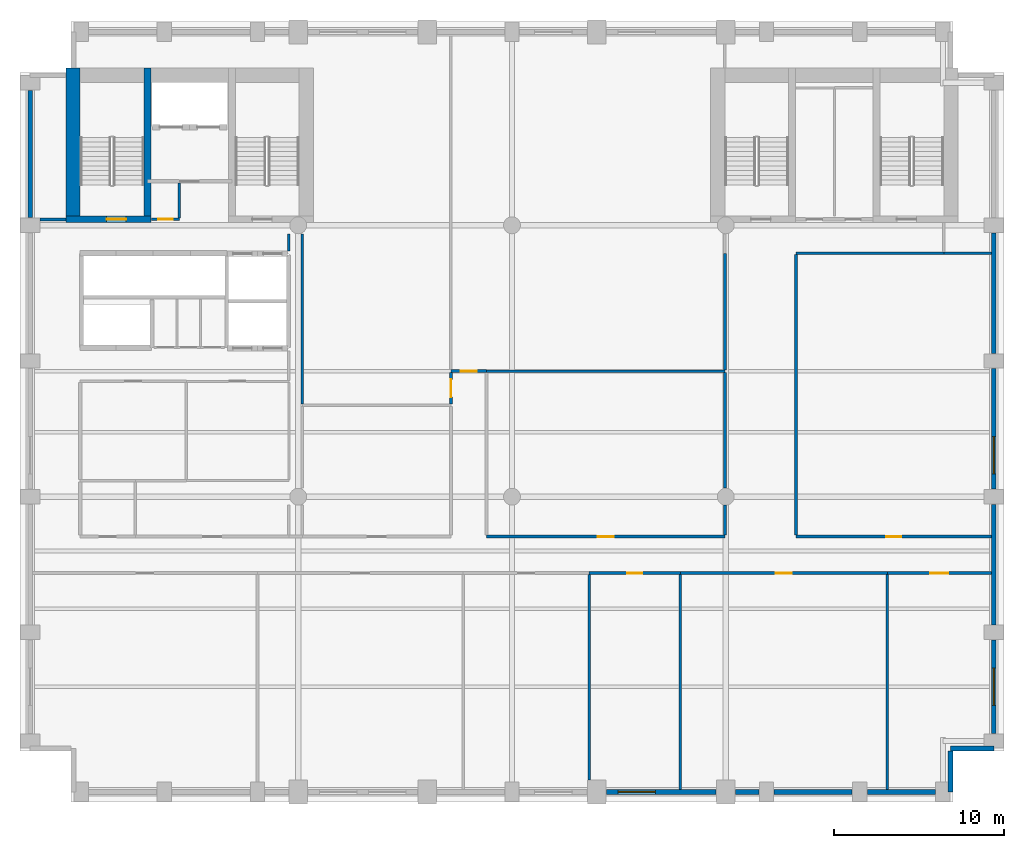
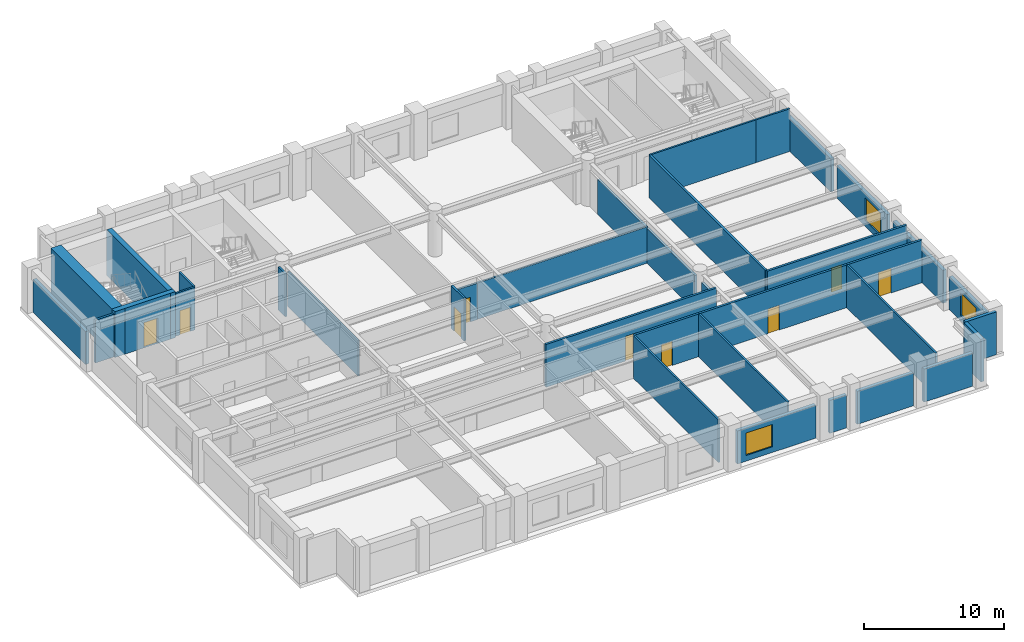
# One storey, part 4 of 8: 36 walls, 9 doors, 3 windows, 12 openings.
"""IFC4 building model written with IfcOpenShell, lengths in metres."""

from ifc_helpers import new_model, si_unit, direction, frame, frame_2d, origin, place, context, subcontext, project, spatial, rectangle, extrude, material, layer, layer_set, type_object, element, fill, save


model = new_model("IFC4")

# Units and contexts
model_context = context("Model", 3, precision=1e-05, world=origin(), true_north=direction((0.0, 1.0)))
body_context = subcontext(model_context, "Body", "Model", "MODEL_VIEW")
ifc_project = project(units=[si_unit("LENGTHUNIT", "METRE"), si_unit("AREAUNIT", "SQUARE_METRE"), si_unit("VOLUMEUNIT", "CUBIC_METRE"), si_unit("PLANEANGLEUNIT", "RADIAN"), si_unit("MASSUNIT", "GRAM", prefix="KILO")], contexts=[model_context])

# Site, building, storey
site_placement = place(None, origin())
site = spatial("IfcSite", under=ifc_project, at=site_placement, CompositionType="ELEMENT")
building_placement = place(site_placement, origin())
building = spatial("IfcBuilding", under=site, at=building_placement, Name="Sulina Concourse Tower", CompositionType="ELEMENT")
storey_placement = place(building_placement, frame((0.0, 0.0, 108.60009765625)))
storey = spatial("IfcBuildingStorey", under=building, at=storey_placement, Name="L26", CompositionType="ELEMENT", Elevation=108.60009765625)

# Walls
ifc_material_1 = material(Name="Gypsum board on steel stud", Category="steel")
ifc_layer_1 = layer(ifc_material_1, 0.14990234375)
ifc_layer_set_1 = layer_set([ifc_layer_1], Name="Gypsum board on steel stud")
wall_type_1 = type_object("IfcWallType", Name="Inter-Tenancy Acoustic Partition 150mm", PredefinedType="PARTITIONING", material=ifc_layer_set_1)
wall_1_placement = place(storey_placement, frame((27.5, 25.39990234375, 0.0), z_axis=(0.0, 0.0, 1.0), x_axis=(1.0, 0.0, 0.0)))
element("IfcWall", 1, at=wall_1_placement, inside=storey, type_object=wall_type_1, Name="L26 interior partition 020", PredefinedType="PARTITIONING", context=body_context, shape_type="SweptSolid", body=[
    extrude(rectangle(XDim=14.050048828125, YDim=0.14990234375, at=frame_2d((7.02490234375, 0.0))), origin(), (0.0, 0.0, 1.0), 3.169921875),
])
wall_2_placement = place(storey_placement, frame((45.75, 32.35009765625, 0.0), z_axis=(0.0, 0.0, 1.0), x_axis=(1.0, 0.0, 0.0)))
element("IfcWall", 2, at=wall_2_placement, inside=storey, type_object=wall_type_1, Name="L26 interior partition 024", PredefinedType="PARTITIONING", context=body_context, shape_type="SweptSolid", body=[
    extrude(rectangle(XDim=8.699951171875, YDim=0.14990234375, at=frame_2d((4.35009765625, 0.0))), origin(), (0.0, 0.0, 1.0), 3.724853515625),
])
wall_3_placement = place(storey_placement, frame((54.449951171875, 32.35009765625, 0.0), z_axis=(0.0, 0.0, 1.0), x_axis=(1.0, 0.0, 0.0)))
element("IfcWall", 3, at=wall_3_placement, inside=storey, type_object=wall_type_1, Name="L26 interior partition 025", PredefinedType="PARTITIONING", context=body_context, shape_type="SweptSolid", body=[
    extrude(rectangle(XDim=2.81005859375, YDim=0.14990234375, at=frame_2d((1.405029296875, 0.0))), origin(), (0.0, 0.0, 1.0), 3.724853515625),
])

# Wall, opening, door
wall_4_placement = place(storey_placement, frame((7.75, 34.35009765625, 0.0), z_axis=(0.0, 0.0, 1.0), x_axis=(1.0, 0.0, 0.0)))
wall_4 = element("IfcWall", 4, at=wall_4_placement, inside=storey, type_object=wall_type_1, Name="L26 interior partition 027", PredefinedType="PARTITIONING", context=body_context, shape_type="SweptSolid", body=[
    extrude(rectangle(XDim=1.64990234375, YDim=0.14990234375, at=frame_2d((0.824951171875, 0.0))), origin(), (0.0, 0.0, 1.0), 3.724853515625),
])
opening_1_placement = place(wall_4_placement, frame((0.385009765625, 0.0, 0.0)))
opening_1 = element("IfcOpeningElement", 5, at=opening_1_placement, cuts=wall_4, Name="Opening DR-38", PredefinedType="OPENING", context=body_context, shape_type="SweptSolid", body=[
    extrude(rectangle(XDim=0.8798828125, YDim=2.10009765625, at=frame_2d((0.43994140625, 1.050048828125))), frame((0.0, 0.0849609375, 0.0), z_axis=(0.0, -1.0, 0.0), x_axis=(1.0, 0.0, 0.0)), (0.0, 0.0, 1.0), 0.169921875),
])
ifc_material_2 = material(Name="Galvanised steel acoustic fire leaf", Category="steel")
ifc_layer_2 = layer(ifc_material_2, 0.050048828125)
ifc_layer_set_2 = layer_set([ifc_layer_2], Name="Galvanised steel acoustic fire leaf")
door_type_1 = type_object("IfcDoorType", Name="Service Riser Fire Door 880x2100", OperationType="NOTDEFINED", PredefinedType="DOOR", material=ifc_layer_set_2)
door_1_placement = place(opening_1_placement, origin())
door_1 = element("IfcDoor", 6, at=door_1_placement, inside=storey, type_object=door_type_1, Name="L26 interior door L26-CLN-N", OperationType="SINGLE_SWING_LEFT", OverallHeight=2.10009765625, OverallWidth=0.8798828125, PredefinedType="DOOR", context=body_context, shape_type="SweptSolid", body=[
    extrude(rectangle(XDim=0.8798828125, YDim=2.10009765625, at=frame_2d((0.43994140625, 1.050048828125))), frame((0.0, 0.02490234375, 0.0), z_axis=(0.0, -1.0, 0.0), x_axis=(1.0, 0.0, 0.0)), (0.0, 0.0, 1.0), 0.050048828125),
])
fill(opening_1, door_1)

# Walls
wall_5_placement = place(storey_placement, frame((9.39990234375, 34.425048828125, 0.0), z_axis=(0.0, 0.0, 1.0), x_axis=(0.0, 1.0, 0.0)))
element("IfcWall", 7, at=wall_5_placement, inside=storey, type_object=wall_type_1, Name="L26 interior partition 034", PredefinedType="PARTITIONING", context=body_context, shape_type="SweptSolid", body=[
    extrude(rectangle(XDim=2.06494140625, YDim=0.14990234375, at=frame_2d((1.032470703125, 0.0))), origin(), (0.0, 0.0, 1.0), 3.724853515625),
])
wall_6_placement = place(storey_placement, frame((15.85009765625, 32.469970703125, 0.0), z_axis=(0.0, 0.0, 1.0), x_axis=(0.0, 1.0, 0.0)))
element("IfcWall", 8, at=wall_6_placement, inside=storey, type_object=wall_type_1, Name="L26 interior partition 041", PredefinedType="PARTITIONING", context=body_context, shape_type="SweptSolid", body=[
    extrude(rectangle(XDim=1.030029296875, YDim=0.14990234375, at=frame_2d((0.51513671875, 0.0))), origin(), (0.0, 0.0, 1.0), 3.724853515625),
])
wall_7_placement = place(storey_placement, frame((16.64990234375, 23.47509765625, 0.0), z_axis=(0.0, 0.0, 1.0), x_axis=(0.0, 1.0, 0.0)))
element("IfcWall", 9, at=wall_7_placement, inside=storey, type_object=wall_type_1, Name="L26 interior partition 044", PredefinedType="PARTITIONING", context=body_context, shape_type="SweptSolid", body=[
    extrude(rectangle(XDim=10.02490234375, YDim=0.14990234375, at=frame_2d((5.012451171875, 0.0))), origin(), (0.0, 0.0, 1.0), 3.06982421875),
])
wall_8_placement = place(storey_placement, frame((33.5400390625, 1.300048828125, 0.0), z_axis=(0.0, 0.0, 1.0), x_axis=(0.0, 1.0, 0.0)))
element("IfcWall", 10, at=wall_8_placement, inside=storey, type_object=wall_type_1, Name="L26 interior partition 050", PredefinedType="PARTITIONING", context=body_context, shape_type="SweptSolid", body=[
    extrude(rectangle(XDim=12.10986328125, YDim=0.14990234375, at=frame_2d((6.054931640625, 0.0))), origin(), (0.0, 0.0, 1.0), 3.724853515625),
])
for number, where, z_axis, x_axis, name in (
    (11, (38.919921875, 0.739990234375, 0.0), (0.0, 0.0, 1.0), (0.0, 1.0, 0.0), "L26 interior partition 051"),
    (12, (51.1201171875, 0.739990234375, 0.0), (0.0, 0.0, 1.0), (0.0, 1.0, 0.0), "L26 interior partition 059"),
):
    element("IfcWall", number, at=place(storey_placement, frame(where, z_axis=z_axis, x_axis=x_axis)), inside=storey, type_object=wall_type_1, Name=name, PredefinedType="PARTITIONING", context=body_context, shape_type="SweptSolid", body=[
        extrude(rectangle(XDim=12.669921875, YDim=0.14990234375, at=frame_2d((6.3349609375, 0.0))), origin(), (0.0, 0.0, 1.0), 3.724853515625),
    ])

# Wall, opening, door
ifc_material_3 = material(Name="Gypsum board on steel stud", Category="steel")
ifc_layer_3 = layer(ifc_material_3, 0.179931640625)
ifc_layer_set_3 = layer_set([ifc_layer_3], Name="Gypsum board on steel stud")
wall_type_2 = type_object("IfcWallType", Name="Protected Corridor & Riser Partition 180mm", PredefinedType="PARTITIONING", material=ifc_layer_set_3)
wall_9_placement = place(storey_placement, frame((33.5400390625, 13.5, 0.0), z_axis=(0.0, 0.0, 1.0), x_axis=(1.0, 0.0, 0.0)))
wall_9 = element("IfcWall", 13, at=wall_9_placement, inside=storey, type_object=wall_type_2, Name="L26 interior partition 004", PredefinedType="PARTITIONING", context=body_context, shape_type="SweptSolid", body=[
    extrude(rectangle(XDim=5.3798828125, YDim=0.179931640625, at=frame_2d((2.68994140625, 0.0))), origin(), (0.0, 0.0, 1.0), 3.724853515625),
])
opening_2_placement = place(wall_9_placement, frame((2.25, 0.0, 0.0)))
opening_2 = element("IfcOpeningElement", 14, at=opening_2_placement, cuts=wall_9, Name="Opening DR-38", PredefinedType="OPENING", context=body_context, shape_type="SweptSolid", body=[
    extrude(rectangle(XDim=0.8798828125, YDim=2.10009765625, at=frame_2d((0.43994140625, 1.050048828125))), frame((0.0, 0.099853515625, 0.0), z_axis=(0.0, -1.0, 0.0), x_axis=(1.0, 0.0, 0.0)), (0.0, 0.0, 1.0), 0.199951171875),
])
door_2_placement = place(opening_2_placement, origin())
door_2 = element("IfcDoor", 15, at=door_2_placement, inside=storey, type_object=door_type_1, Name="L26 interior door L26-S03B", OperationType="SINGLE_SWING_LEFT", OverallHeight=2.10009765625, OverallWidth=0.8798828125, PredefinedType="DOOR", context=body_context, shape_type="SweptSolid", body=[
    extrude(rectangle(XDim=0.8798828125, YDim=2.10009765625, at=frame_2d((0.43994140625, 1.050048828125))), frame((0.0, 0.02490234375, 0.0), z_axis=(0.0, -1.0, 0.0), x_axis=(1.0, 0.0, 0.0)), (0.0, 0.0, 1.0), 0.050048828125),
])
fill(opening_2, door_2)

wall_10_placement = place(storey_placement, frame((38.919921875, 13.5, 0.0), z_axis=(0.0, 0.0, 1.0), x_axis=(1.0, 0.0, 0.0)))
wall_10 = element("IfcWall", 16, at=wall_10_placement, inside=storey, type_object=wall_type_2, Name="L26 interior partition 005", PredefinedType="PARTITIONING", context=body_context, shape_type="SweptSolid", body=[
    extrude(rectangle(XDim=12.2001953125, YDim=0.179931640625, at=frame_2d((6.10009765625, 0.0))), origin(), (0.0, 0.0, 1.0), 3.724853515625),
])
opening_3_placement = place(wall_10_placement, frame((5.625, 0.0, 0.0)))
opening_3 = element("IfcOpeningElement", 17, at=opening_3_placement, cuts=wall_10, Name="Opening DR-19", PredefinedType="OPENING", context=body_context, shape_type="SweptSolid", body=[
    extrude(rectangle(XDim=0.949951171875, YDim=2.14990234375, at=frame_2d((0.47509765625, 1.074951171875))), frame((0.0, 0.099853515625, 0.0), z_axis=(0.0, -1.0, 0.0), x_axis=(1.0, 0.0, 0.0)), (0.0, 0.0, 1.0), 0.199951171875),
])
ifc_material_4 = material(Name="Oak-veneered acoustic timber leaf", Category="wood")
ifc_layer_4 = layer(ifc_material_4, 0.050048828125)
ifc_layer_set_4 = layer_set([ifc_layer_4], Name="Oak-veneered acoustic timber leaf")
door_type_2 = type_object("IfcDoorType", Name="Cellular Office & Meeting Door 950x2150", OperationType="NOTDEFINED", PredefinedType="DOOR", material=ifc_layer_set_4)
door_3_placement = place(opening_3_placement, origin())
door_3 = element("IfcDoor", 18, at=door_3_placement, inside=storey, type_object=door_type_2, Name="L26 interior door L26-S04", OperationType="SINGLE_SWING_RIGHT", OverallHeight=2.14990234375, OverallWidth=0.949951171875, PredefinedType="DOOR", context=body_context, shape_type="SweptSolid", body=[
    extrude(rectangle(XDim=0.949951171875, YDim=2.14990234375, at=frame_2d((0.47509765625, 1.074951171875))), frame((0.0, 0.02490234375, 0.0), z_axis=(0.0, -1.0, 0.0), x_axis=(1.0, 0.0, 0.0)), (0.0, 0.0, 1.0), 0.050048828125),
])
fill(opening_3, door_3)

wall_11_placement = place(storey_placement, frame((51.1201171875, 13.5, 0.0), z_axis=(0.0, 0.0, 1.0), x_axis=(1.0, 0.0, 0.0)))
wall_11 = element("IfcWall", 19, at=wall_11_placement, inside=storey, type_object=wall_type_2, Name="L26 interior partition 006", PredefinedType="PARTITIONING", context=body_context, shape_type="SweptSolid", body=[
    extrude(rectangle(XDim=6.139892578125, YDim=0.179931640625, at=frame_2d((3.06982421875, 0.0))), origin(), (0.0, 0.0, 1.0), 3.724853515625),
])
opening_4_placement = place(wall_11_placement, frame((2.544921875, 0.0, 0.0)))
opening_4 = element("IfcOpeningElement", 20, at=opening_4_placement, cuts=wall_11, Name="Opening DR-37", PredefinedType="OPENING", context=body_context, shape_type="SweptSolid", body=[
    extrude(rectangle(XDim=1.050048828125, YDim=2.14990234375, at=frame_2d((0.52490234375, 1.074951171875))), frame((0.0, 0.099853515625, 0.0), z_axis=(0.0, -1.0, 0.0), x_axis=(1.0, 0.0, 0.0)), (0.0, 0.0, 1.0), 0.199951171875),
])
ifc_material_5 = material(Name="Oak-veneered fire door leaf")
ifc_layer_5 = layer(ifc_material_5, 0.050048828125)
ifc_layer_set_5 = layer_set([ifc_layer_5], Name="Oak-veneered fire door leaf")
door_type_3 = type_object("IfcDoorType", Name="Tenant Suite Entrance Fire Door 1050x2150", OperationType="NOTDEFINED", PredefinedType="DOOR", material=ifc_layer_set_5)
door_4_placement = place(opening_4_placement, origin())
door_4 = element("IfcDoor", 21, at=door_4_placement, inside=storey, type_object=door_type_3, Name="L26 interior door L26-S05", OperationType="SINGLE_SWING_LEFT", OverallHeight=2.14990234375, OverallWidth=1.050048828125, PredefinedType="DOOR", context=body_context, shape_type="SweptSolid", body=[
    extrude(rectangle(XDim=1.050048828125, YDim=2.14990234375, at=frame_2d((0.52490234375, 1.074951171875))), frame((0.0, 0.02490234375, 0.0), z_axis=(0.0, -1.0, 0.0), x_axis=(1.0, 0.0, 0.0)), (0.0, 0.0, 1.0), 0.050048828125),
])
fill(opening_4, door_4)

wall_12_placement = place(storey_placement, frame((27.5, 15.64990234375, 0.0), z_axis=(0.0, 0.0, 1.0), x_axis=(1.0, 0.0, 0.0)))
wall_12 = element("IfcWall", 22, at=wall_12_placement, inside=storey, type_object=wall_type_2, Name="L26 interior partition 011", PredefinedType="PARTITIONING", context=body_context, shape_type="SweptSolid", body=[
    extrude(rectangle(XDim=14.050048828125, YDim=0.179931640625, at=frame_2d((7.02490234375, 0.0))), origin(), (0.0, 0.0, 1.0), 3.724853515625),
])
opening_5_placement = place(wall_12_placement, frame((6.550048828125, 0.0, 0.0)))
opening_5 = element("IfcOpeningElement", 23, at=opening_5_placement, cuts=wall_12, Name="Opening DR-19", PredefinedType="OPENING", context=body_context, shape_type="SweptSolid", body=[
    extrude(rectangle(XDim=0.949951171875, YDim=2.14990234375, at=frame_2d((0.47509765625, 1.074951171875))), frame((0.0, 0.099853515625, 0.0), z_axis=(0.0, -1.0, 0.0), x_axis=(1.0, 0.0, 0.0)), (0.0, 0.0, 1.0), 0.199951171875),
])
door_5_placement = place(opening_5_placement, origin())
door_5 = element("IfcDoor", 24, at=door_5_placement, inside=storey, type_object=door_type_2, Name="L26 interior door L26-NC3", OperationType="SINGLE_SWING_LEFT", OverallHeight=2.14990234375, OverallWidth=0.949951171875, PredefinedType="DOOR", context=body_context, shape_type="SweptSolid", body=[
    extrude(rectangle(XDim=0.949951171875, YDim=2.14990234375, at=frame_2d((0.47509765625, 1.074951171875))), frame((0.0, 0.02490234375, 0.0), z_axis=(0.0, -1.0, 0.0), x_axis=(1.0, 0.0, 0.0)), (0.0, 0.0, 1.0), 0.050048828125),
])
fill(opening_5, door_5)

wall_13_placement = place(storey_placement, frame((45.75, 15.64990234375, 0.0), z_axis=(0.0, 0.0, 1.0), x_axis=(1.0, 0.0, 0.0)))
wall_13 = element("IfcWall", 25, at=wall_13_placement, inside=storey, type_object=wall_type_2, Name="L26 interior partition 012", PredefinedType="PARTITIONING", context=body_context, shape_type="SweptSolid", body=[
    extrude(rectangle(XDim=11.510009765625, YDim=0.179931640625, at=frame_2d((5.7548828125, 0.0))), origin(), (0.0, 0.0, 1.0), 3.724853515625),
])
opening_6_placement = place(wall_13_placement, frame((5.31494140625, 0.0, 0.0)))
opening_6 = element("IfcOpeningElement", 26, at=opening_6_placement, cuts=wall_13, Name="Opening DR-38", PredefinedType="OPENING", context=body_context, shape_type="SweptSolid", body=[
    extrude(rectangle(XDim=0.8798828125, YDim=2.10009765625, at=frame_2d((0.43994140625, 1.050048828125))), frame((0.0, 0.099853515625, 0.0), z_axis=(0.0, -1.0, 0.0), x_axis=(1.0, 0.0, 0.0)), (0.0, 0.0, 1.0), 0.199951171875),
])
door_6_placement = place(opening_6_placement, origin())
door_6 = element("IfcDoor", 27, at=door_6_placement, inside=storey, type_object=door_type_1, Name="L26 interior door L26-NE1", OperationType="SINGLE_SWING_RIGHT", OverallHeight=2.10009765625, OverallWidth=0.8798828125, PredefinedType="DOOR", context=body_context, shape_type="SweptSolid", body=[
    extrude(rectangle(XDim=0.8798828125, YDim=2.10009765625, at=frame_2d((0.43994140625, 1.050048828125))), frame((0.0, 0.02490234375, 0.0), z_axis=(0.0, -1.0, 0.0), x_axis=(1.0, 0.0, 0.0)), (0.0, 0.0, 1.0), 0.050048828125),
])
fill(opening_6, door_6)

wall_14_placement = place(storey_placement, frame((25.39990234375, 25.39990234375, 0.0), z_axis=(0.0, 0.0, 1.0), x_axis=(1.0, 0.0, 0.0)))
wall_14 = element("IfcWall", 28, at=wall_14_placement, inside=storey, type_object=wall_type_2, Name="L26 interior partition 019", PredefinedType="PARTITIONING", context=body_context, shape_type="SweptSolid", body=[
    extrude(rectangle(XDim=2.10009765625, YDim=0.179931640625, at=frame_2d((1.050048828125, 0.0))), origin(), (0.0, 0.0, 1.0), 3.169921875),
])
opening_7_placement = place(wall_14_placement, frame((0.574951171875, 0.0, 0.0)))
opening_7 = element("IfcOpeningElement", 29, at=opening_7_placement, cuts=wall_14, Name="Opening DR-19", PredefinedType="OPENING", context=body_context, shape_type="SweptSolid", body=[
    extrude(rectangle(XDim=0.949951171875, YDim=2.14990234375, at=frame_2d((0.47509765625, 1.074951171875))), frame((0.0, 0.099853515625, 0.0), z_axis=(0.0, -1.0, 0.0), x_axis=(1.0, 0.0, 0.0)), (0.0, 0.0, 1.0), 0.199951171875),
])
door_7_placement = place(opening_7_placement, origin())
door_7 = element("IfcDoor", 30, at=door_7_placement, inside=storey, type_object=door_type_2, Name="L26 interior door L26-NC4", OperationType="SINGLE_SWING_LEFT", OverallHeight=2.14990234375, OverallWidth=0.949951171875, PredefinedType="DOOR", context=body_context, shape_type="SweptSolid", body=[
    extrude(rectangle(XDim=0.949951171875, YDim=2.14990234375, at=frame_2d((0.47509765625, 1.074951171875))), frame((0.0, 0.02490234375, 0.0), z_axis=(0.0, -1.0, 0.0), x_axis=(1.0, 0.0, 0.0)), (0.0, 0.0, 1.0), 0.050048828125),
])
fill(opening_7, door_7)

# Wall
wall_15_placement = place(storey_placement, frame((1.175048828125, 34.35009765625, 0.0), z_axis=(0.0, 0.0, 1.0), x_axis=(1.0, 0.0, 0.0)))
element("IfcWall", 31, at=wall_15_placement, inside=storey, type_object=wall_type_2, Name="L26 interior partition 026", PredefinedType="PARTITIONING", context=body_context, shape_type="SweptSolid", body=[
    extrude(rectangle(XDim=1.52490234375, YDim=0.179931640625, at=frame_2d((0.762451171875, 0.0))), origin(), (0.0, 0.0, 1.0), 3.724853515625),
])

# Wall, opening, door
wall_16_placement = place(storey_placement, frame((25.39990234375, 23.47509765625, 0.0), z_axis=(0.0, 0.0, 1.0), x_axis=(0.0, 1.0, 0.0)))
wall_16 = element("IfcWall", 32, at=wall_16_placement, inside=storey, type_object=wall_type_2, Name="L26 interior partition 046", PredefinedType="PARTITIONING", context=body_context, shape_type="SweptSolid", body=[
    extrude(rectangle(XDim=1.8349609375, YDim=0.179931640625, at=frame_2d((0.91748046875, 0.0))), origin(), (0.0, 0.0, 1.0), 3.724853515625),
])
opening_8_placement = place(wall_16_placement, frame((0.392578125, 0.0, 0.0)))
opening_8 = element("IfcOpeningElement", 33, at=opening_8_placement, cuts=wall_16, Name="Opening DR-37", PredefinedType="OPENING", context=body_context, shape_type="SweptSolid", body=[
    extrude(rectangle(XDim=1.050048828125, YDim=2.14990234375, at=frame_2d((0.52490234375, 1.074951171875))), frame((0.0, 0.099853515625, 0.0), z_axis=(0.0, -1.0, 0.0), x_axis=(1.0, 0.0, 0.0)), (0.0, 0.0, 1.0), 0.199951171875),
])
door_8_placement = place(opening_8_placement, origin())
door_8 = element("IfcDoor", 34, at=door_8_placement, inside=storey, type_object=door_type_3, Name="L26 interior door L26-NC2", OperationType="SINGLE_SWING_RIGHT", OverallHeight=2.14990234375, OverallWidth=1.050048828125, PredefinedType="DOOR", context=body_context, shape_type="SweptSolid", body=[
    extrude(rectangle(XDim=1.050048828125, YDim=2.14990234375, at=frame_2d((0.52490234375, 1.074951171875))), frame((0.0, 0.02490234375, 0.0), z_axis=(0.0, -1.0, 0.0), x_axis=(1.0, 0.0, 0.0)), (0.0, 0.0, 1.0), 0.050048828125),
])
fill(opening_8, door_8)

# Walls
wall_17_placement = place(storey_placement, frame((41.550048828125, 15.739990234375, 0.0), z_axis=(0.0, 0.0, 1.0), x_axis=(0.0, 1.0, 0.0)))
element("IfcWall", 35, at=wall_17_placement, inside=storey, type_object=wall_type_2, Name="L26 interior partition 052", PredefinedType="PARTITIONING", context=body_context, shape_type="SweptSolid", body=[
    extrude(rectangle(XDim=1.760009765625, YDim=0.179931640625, at=frame_2d((0.8798828125, 0.0))), origin(), (0.0, 0.0, 1.0), 3.06982421875),
])
wall_18_placement = place(storey_placement, frame((41.550048828125, 18.5, 0.0), z_axis=(0.0, 0.0, 1.0), x_axis=(0.0, 1.0, 0.0)))
element("IfcWall", 36, at=wall_18_placement, inside=storey, type_object=wall_type_2, Name="L26 interior partition 053", PredefinedType="PARTITIONING", context=body_context, shape_type="SweptSolid", body=[
    extrude(rectangle(XDim=6.824951171875, YDim=0.179931640625, at=frame_2d((3.41259765625, 0.0))), origin(), (0.0, 0.0, 1.0), 3.06982421875),
])
wall_19_placement = place(storey_placement, frame((41.550048828125, 25.47509765625, 0.0), z_axis=(0.0, 0.0, 1.0), x_axis=(0.0, 1.0, 0.0)))
element("IfcWall", 37, at=wall_19_placement, inside=storey, type_object=wall_type_2, Name="L26 interior partition 054", PredefinedType="PARTITIONING", context=body_context, shape_type="SweptSolid", body=[
    extrude(rectangle(XDim=6.875, YDim=0.179931640625, at=frame_2d((3.4375, 0.0))), origin(), (0.0, 0.0, 1.0), 3.06982421875),
])
wall_20_placement = place(storey_placement, frame((45.75, 15.739990234375, 0.0), z_axis=(0.0, 0.0, 1.0), x_axis=(0.0, 1.0, 0.0)))
element("IfcWall", 38, at=wall_20_placement, inside=storey, type_object=wall_type_2, Name="L26 interior partition 057", PredefinedType="PARTITIONING", context=body_context, shape_type="SweptSolid", body=[
    extrude(rectangle(XDim=16.534912109375, YDim=0.179931640625, at=frame_2d((8.267578125, 0.0))), origin(), (0.0, 0.0, 1.0), 3.724853515625),
])

# Wall, opening, door
ifc_material_6 = material(Name="Concrete C60/75", Category="concrete")
ifc_layer_6 = layer(ifc_material_6, 0.39990234375)
ifc_layer_set_6 = layer_set([ifc_layer_6], Name="Concrete C60/75")
wall_type_3 = type_object("IfcWallType", Name="Protected Stair Core Shear Wall 400mm", PredefinedType="SHEAR", material=ifc_layer_set_6)
wall_21_placement = place(storey_placement, frame((2.699951171875, 34.35009765625, 0.0), z_axis=(0.0, 0.0, 1.0), x_axis=(1.0, 0.0, 0.0)))
wall_21 = element("IfcWall", 39, at=wall_21_placement, inside=storey, type_object=wall_type_3, Name="L26 west core shear wall CW-WS1", PredefinedType="SHEAR", context=body_context, shape_type="SweptSolid", body=[
    extrude(rectangle(XDim=5.010009765625, YDim=0.39990234375, at=frame_2d((2.5048828125, 0.0))), origin(), (0.0, 0.0, 1.0), 4.0),
])
opening_9_placement = place(wall_21_placement, frame((2.39990234375, 0.0, 0.0)))
opening_9 = element("IfcOpeningElement", 40, at=opening_9_placement, cuts=wall_21, Name="Opening DR-60", PredefinedType="OPENING", context=body_context, shape_type="SweptSolid", body=[
    extrude(rectangle(XDim=1.14990234375, YDim=2.199951171875, at=frame_2d((0.574951171875, 1.10009765625))), frame((0.0, 0.2099609375, 0.0), z_axis=(0.0, -1.0, 0.0), x_axis=(1.0, 0.0, 0.0)), (0.0, 0.0, 1.0), 0.419921875),
])
ifc_material_7 = material(Name="Galvanised steel acoustic fire leaf", Category="steel")
ifc_layer_7 = layer(ifc_material_7, 0.054931640625)
ifc_layer_set_7 = layer_set([ifc_layer_7], Name="Galvanised steel acoustic fire leaf")
door_type_4 = type_object("IfcDoorType", Name="Protected Exit Stair Fire Door 1150x2200", OperationType="NOTDEFINED", PredefinedType="DOOR", material=ifc_layer_set_7)
door_9_placement = place(opening_9_placement, origin())
door_9 = element("IfcDoor", 41, at=door_9_placement, inside=storey, type_object=door_type_4, Name="L26 stair ST-1 lobby fire door", OperationType="SINGLE_SWING_LEFT", OverallHeight=2.199951171875, OverallWidth=1.14990234375, PredefinedType="DOOR", context=body_context, shape_type="SweptSolid", body=[
    extrude(rectangle(XDim=1.14990234375, YDim=2.199951171875, at=frame_2d((0.574951171875, 1.10009765625))), frame((0.0, 0.02490234375, 0.0), z_axis=(0.0, -1.0, 0.0), x_axis=(1.0, 0.0, 0.0)), (0.0, 0.0, 1.0), 0.050048828125),
])
fill(opening_9, door_9)

# Walls
wall_22_placement = place(storey_placement, frame((7.510009765625, 34.14990234375, 0.0), z_axis=(0.0, 0.0, 1.0), x_axis=(0.0, 1.0, 0.0)))
element("IfcWall", 42, at=wall_22_placement, inside=storey, type_object=wall_type_3, Name="L26 west core shear wall SW-ST1", PredefinedType="SHEAR", context=body_context, shape_type="SweptSolid", body=[
    extrude(rectangle(XDim=9.130126953125, YDim=0.39990234375, at=frame_2d((4.56494140625, 0.0))), origin(), (0.0, 0.0, 1.0), 4.0),
])
ifc_material_8 = material(Name="Concrete C60/75", Category="concrete")
ifc_layer_8 = layer(ifc_material_8, 0.85009765625)
ifc_layer_set_8 = layer_set([ifc_layer_8], Name="Concrete C60/75")
wall_type_4 = type_object("IfcWallType", Name="Rear Core Shear Wall 850mm", PredefinedType="SHEAR", material=ifc_layer_set_8)
wall_23_placement = place(storey_placement, frame((3.125, 34.14990234375, 0.0), z_axis=(0.0, 0.0, 1.0), x_axis=(0.0, 1.0, 0.0)))
element("IfcWall", 43, at=wall_23_placement, inside=storey, type_object=wall_type_4, Name="L26 west core shear wall CW-WW", PredefinedType="SHEAR", context=body_context, shape_type="SweptSolid", body=[
    extrude(rectangle(XDim=9.130126953125, YDim=0.85009765625, at=frame_2d((4.56494140625, 0.0))), origin(), (0.0, 0.0, 1.0), 4.0),
])

# Wall, opening, window
ifc_material_9 = material(Name="Precast concrete C50/60", Category="concrete")
ifc_layer_9 = layer(ifc_material_9, 0.280029296875)
ifc_layer_set_9 = layer_set([ifc_layer_9], Name="Precast concrete C50/60")
wall_type_5 = type_object("IfcWallType", Name="Typical Precast Masonry-Frame Facade Wall 280mm", PredefinedType="SOLIDWALL", material=ifc_layer_set_9)
wall_24_placement = place(storey_placement, frame((41.030029296875, 0.60009765625, 0.0), z_axis=(0.0, 0.0, 1.0), x_axis=(-1.0, 0.0, 0.0)))
wall_24 = element("IfcWall", 44, at=wall_24_placement, inside=storey, type_object=wall_type_5, Name="L26 exterior precast wall S7", PredefinedType="SOLIDWALL", context=body_context, shape_type="SweptSolid", body=[
    extrude(rectangle(XDim=6.4599609375, YDim=0.280029296875, at=frame_2d((3.22998046875, 0.0))), origin(), (0.0, 0.0, 1.0), 2.875),
])
opening_10_placement = place(wall_24_placement, frame((3.5732421875, 0.0, 0.5)))
opening_10 = element("IfcOpeningElement", 45, at=opening_10_placement, cuts=wall_24, Name="Opening WN-76", PredefinedType="OPENING", context=body_context, shape_type="SweptSolid", body=[
    extrude(rectangle(XDim=2.199951171875, YDim=1.949951171875, at=frame_2d((1.10009765625, 0.97509765625))), frame((0.0, 0.14990234375, 0.0), z_axis=(0.0, -1.0, 0.0), x_axis=(1.0, 0.0, 0.0)), (0.0, 0.0, 1.0), 0.300048828125),
])
ifc_material_10 = material(Name="Low-E solar double glazing in bronze aluminium", Category="aluminium")
window_type = type_object("IfcWindowType", Name="Recessed Spandrel Window 2200x1950", PartitioningType="DOUBLE_PANEL_VERTICAL", PredefinedType="WINDOW", material=ifc_material_10)
window_1_placement = place(opening_10_placement, origin())
window_1 = element("IfcWindow", 46, at=window_1_placement, inside=storey, type_object=window_type, Name="L26 punched window S7-1", OverallHeight=1.949951171875, OverallWidth=2.199951171875, PartitioningType="SINGLE_PANEL", PredefinedType="WINDOW", context=body_context, shape_type="SweptSolid", body=[
    extrude(rectangle(XDim=2.199951171875, YDim=1.949951171875, at=frame_2d((1.10009765625, 0.97509765625))), frame((0.0, 0.030029296875, 0.0), z_axis=(0.0, -1.0, 0.0), x_axis=(1.0, 0.0, 0.0)), (0.0, 0.0, 1.0), 0.06005859375),
])
fill(opening_10, window_1)

# Walls
wall_25_placement = place(storey_placement, frame((43.554931640625, 0.60009765625, 0.0), z_axis=(0.0, 0.0, 1.0), x_axis=(-1.0, 0.0, 0.0)))
element("IfcWall", 47, at=wall_25_placement, inside=storey, type_object=wall_type_5, Name="L26 exterior precast wall S8", PredefinedType="SOLIDWALL", context=body_context, shape_type="SweptSolid", body=[
    extrude(rectangle(XDim=1.385009765625, YDim=0.280029296875, at=frame_2d((0.6923828125, 0.0))), origin(), (0.0, 0.0, 1.0), 2.875),
])
wall_26_placement = place(storey_placement, frame((49.054931640625, 0.60009765625, 0.0), z_axis=(0.0, 0.0, 1.0), x_axis=(-1.0, 0.0, 0.0)))
element("IfcWall", 48, at=wall_26_placement, inside=storey, type_object=wall_type_5, Name="L26 exterior precast wall S9", PredefinedType="SOLIDWALL", context=body_context, shape_type="SweptSolid", body=[
    extrude(rectangle(XDim=4.60986328125, YDim=0.280029296875, at=frame_2d((2.304931640625, 0.0))), origin(), (0.0, 0.0, 1.0), 2.875),
])
wall_27_placement = place(storey_placement, frame((53.955078125, 0.60009765625, 0.0), z_axis=(0.0, 0.0, 1.0), x_axis=(-1.0, 0.0, 0.0)))
element("IfcWall", 49, at=wall_27_placement, inside=storey, type_object=wall_type_5, Name="L26 exterior precast wall S10", PredefinedType="SOLIDWALL", context=body_context, shape_type="SweptSolid", body=[
    extrude(rectangle(XDim=4.010009765625, YDim=0.280029296875, at=frame_2d((2.0048828125, 0.0))), origin(), (0.0, 0.0, 1.0), 2.875),
])
wall_28_placement = place(storey_placement, frame((0.60009765625, 34.445068359375, 0.0), z_axis=(0.0, 0.0, 1.0), x_axis=(0.0, 1.0, 0.0)))
element("IfcWall", 50, at=wall_28_placement, inside=storey, type_object=wall_type_5, Name="L26 exterior precast wall W5", PredefinedType="SOLIDWALL", context=body_context, shape_type="SweptSolid", body=[
    extrude(rectangle(XDim=7.510009765625, YDim=0.280029296875, at=frame_2d((3.7548828125, 0.0))), origin(), (0.0, 0.0, 1.0), 2.875),
])

# Wall, opening, window
wall_29_placement = place(storey_placement, frame((57.39990234375, 9.554931640625, 0.0), z_axis=(0.0, 0.0, 1.0), x_axis=(0.0, -1.0, 0.0)))
wall_29 = element("IfcWall", 51, at=wall_29_placement, inside=storey, type_object=wall_type_5, Name="L26 exterior precast wall E1", PredefinedType="SOLIDWALL", context=body_context, shape_type="SweptSolid", body=[
    extrude(rectangle(XDim=5.510009765625, YDim=0.280029296875, at=frame_2d((2.7548828125, 0.0))), origin(), (0.0, 0.0, 1.0), 2.875),
])
opening_11_placement = place(wall_29_placement, frame((1.655029296875, 0.0, 0.5)))
opening_11 = element("IfcOpeningElement", 52, at=opening_11_placement, cuts=wall_29, Name="Opening WN-76", PredefinedType="OPENING", context=body_context, shape_type="SweptSolid", body=[
    extrude(rectangle(XDim=2.199951171875, YDim=1.949951171875, at=frame_2d((1.10009765625, 0.97509765625))), frame((0.0, 0.14990234375, 0.0), z_axis=(0.0, -1.0, 0.0), x_axis=(1.0, 0.0, 0.0)), (0.0, 0.0, 1.0), 0.300048828125),
])
window_2_placement = place(opening_11_placement, origin())
window_2 = element("IfcWindow", 53, at=window_2_placement, inside=storey, type_object=window_type, Name="L26 punched window E1-1", OverallHeight=1.949951171875, OverallWidth=2.199951171875, PartitioningType="SINGLE_PANEL", PredefinedType="WINDOW", context=body_context, shape_type="SweptSolid", body=[
    extrude(rectangle(XDim=2.199951171875, YDim=1.949951171875, at=frame_2d((1.10009765625, 0.97509765625))), frame((0.0, 0.030029296875, 0.0), z_axis=(0.0, -1.0, 0.0), x_axis=(1.0, 0.0, 0.0)), (0.0, 0.0, 1.0), 0.06005859375),
])
fill(opening_11, window_2)

# Wall
wall_30_placement = place(storey_placement, frame((57.39990234375, 17.554931640625, 0.0), z_axis=(0.0, 0.0, 1.0), x_axis=(0.0, -1.0, 0.0)))
element("IfcWall", 54, at=wall_30_placement, inside=storey, type_object=wall_type_5, Name="L26 exterior precast wall E2", PredefinedType="SOLIDWALL", context=body_context, shape_type="SweptSolid", body=[
    extrude(rectangle(XDim=7.10986328125, YDim=0.280029296875, at=frame_2d((3.554931640625, 0.0))), origin(), (0.0, 0.0, 1.0), 2.875),
])

# Wall, opening, window
wall_31_placement = place(storey_placement, frame((57.39990234375, 25.554931640625, 0.0), z_axis=(0.0, 0.0, 1.0), x_axis=(0.0, -1.0, 0.0)))
wall_31 = element("IfcWall", 55, at=wall_31_placement, inside=storey, type_object=wall_type_5, Name="L26 exterior precast wall E3", PredefinedType="SOLIDWALL", context=body_context, shape_type="SweptSolid", body=[
    extrude(rectangle(XDim=7.10986328125, YDim=0.280029296875, at=frame_2d((3.554931640625, 0.0))), origin(), (0.0, 0.0, 1.0), 2.875),
])
opening_12_placement = place(wall_31_placement, frame((4.006591796875, 0.0, 0.5)))
opening_12 = element("IfcOpeningElement", 56, at=opening_12_placement, cuts=wall_31, Name="Opening WN-76", PredefinedType="OPENING", context=body_context, shape_type="SweptSolid", body=[
    extrude(rectangle(XDim=2.199951171875, YDim=1.949951171875, at=frame_2d((1.10009765625, 0.97509765625))), frame((0.0, 0.14990234375, 0.0), z_axis=(0.0, -1.0, 0.0), x_axis=(1.0, 0.0, 0.0)), (0.0, 0.0, 1.0), 0.300048828125),
])
window_3_placement = place(opening_12_placement, origin())
window_3 = element("IfcWindow", 57, at=window_3_placement, inside=storey, type_object=window_type, Name="L26 punched window E3-1", OverallHeight=1.949951171875, OverallWidth=2.199951171875, PartitioningType="SINGLE_PANEL", PredefinedType="WINDOW", context=body_context, shape_type="SweptSolid", body=[
    extrude(rectangle(XDim=2.199951171875, YDim=1.949951171875, at=frame_2d((1.10009765625, 0.97509765625))), frame((0.0, 0.030029296875, 0.0), z_axis=(0.0, -1.0, 0.0), x_axis=(1.0, 0.0, 0.0)), (0.0, 0.0, 1.0), 0.06005859375),
])
fill(opening_12, window_3)

# Walls
wall_32_placement = place(storey_placement, frame((57.39990234375, 33.554931640625, 0.0), z_axis=(0.0, 0.0, 1.0), x_axis=(0.0, -1.0, 0.0)))
element("IfcWall", 58, at=wall_32_placement, inside=storey, type_object=wall_type_5, Name="L26 exterior precast wall E4", PredefinedType="SOLIDWALL", context=body_context, shape_type="SweptSolid", body=[
    extrude(rectangle(XDim=7.10986328125, YDim=0.280029296875, at=frame_2d((3.554931640625, 0.0))), origin(), (0.0, 0.0, 1.0), 2.875),
])
wall_33_placement = place(storey_placement, frame((57.39990234375, 3.155029296875, 0.0), z_axis=(0.0, 0.0, 1.0), x_axis=(-1.0, 0.0, 0.0)))
element("IfcWall", 59, at=wall_33_placement, inside=storey, type_object=wall_type_5, Name="L26 exterior precast wall CSE1", PredefinedType="SOLIDWALL", context=body_context, shape_type="SweptSolid", body=[
    extrude(rectangle(XDim=2.554931640625, YDim=0.280029296875, at=frame_2d((1.27734375, 0.0))), origin(), (0.0, 0.0, 1.0), 3.724853515625),
])
wall_34_placement = place(storey_placement, frame((54.844970703125, 3.010009765625, 0.0), z_axis=(0.0, 0.0, 1.0), x_axis=(0.0, -1.0, 0.0)))
element("IfcWall", 60, at=wall_34_placement, inside=storey, type_object=wall_type_5, Name="L26 exterior precast wall CSE2", PredefinedType="SOLIDWALL", context=body_context, shape_type="SweptSolid", body=[
    extrude(rectangle(XDim=2.409912109375, YDim=0.280029296875, at=frame_2d((1.205078125, 0.0))), origin(), (0.0, 0.0, 1.0), 3.724853515625),
])

save(model, "model.ifc")
